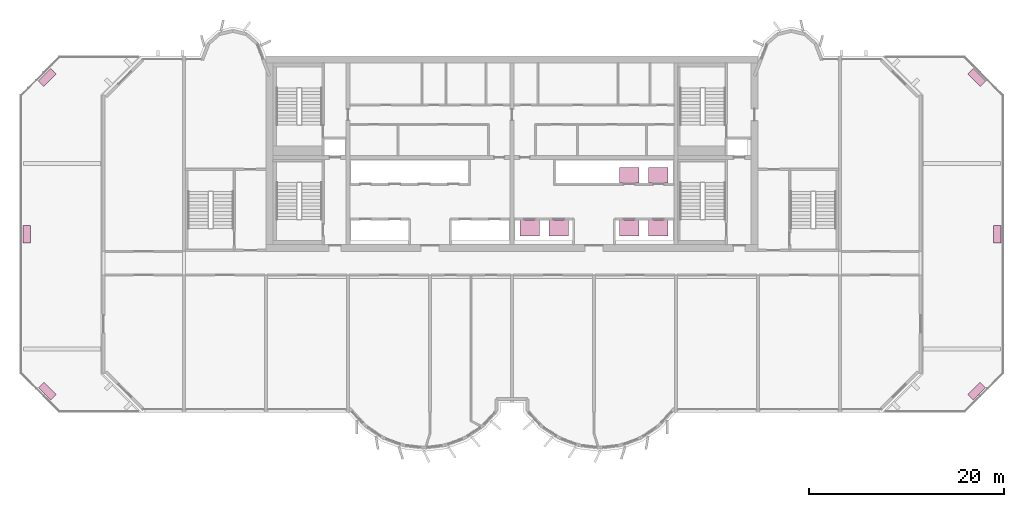
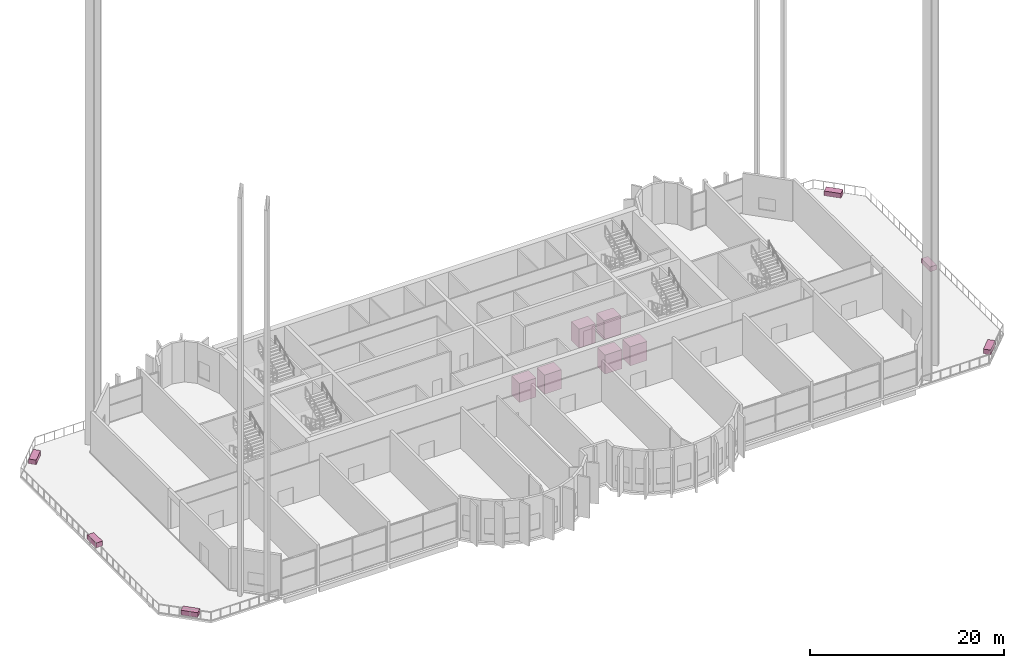
# One storey, part 19 of 19: 6 furniture elements, 6 transport elements.
"""IFC4 building model written with IfcOpenShell, lengths in metres."""

from ifc_helpers import new_model, si_unit, direction, frame, origin, origin_2d, place, context, subcontext, project, spatial, rectangle, extrude, source, transform, mapped, material, type_object, element, save


model = new_model("IFC4")

# Units and contexts
model_context = context("Model", 3, precision=1e-05, world=origin(), true_north=direction((0.0, 1.0)))
body_context = subcontext(model_context, "Body", "Model", "MODEL_VIEW")
ifc_project = project(units=[si_unit("LENGTHUNIT", "METRE"), si_unit("AREAUNIT", "SQUARE_METRE"), si_unit("VOLUMEUNIT", "CUBIC_METRE"), si_unit("PLANEANGLEUNIT", "RADIAN"), si_unit("MASSUNIT", "GRAM", prefix="KILO")], contexts=[model_context])

# Site, building, storey
site_placement = place(None, origin())
site = spatial("IfcSite", under=ifc_project, at=site_placement, CompositionType="ELEMENT")
building_placement = place(site_placement, origin())
building = spatial("IfcBuilding", under=site, at=building_placement, Name="Vanashikhar Sky Hotel", CompositionType="ELEMENT")
storey_placement = place(building_placement, frame((0.0, 0.0, 146.199951171875)))
storey = spatial("IfcBuildingStorey", under=building, at=storey_placement, Name="L35", CompositionType="ELEMENT", Elevation=146.199951171875)

# Furniture
ifc_material_1 = material(Name="Planting soil and shrubs")
furniture_type = type_object("IfcFurnitureType", Name="Planter trough", AssemblyPlace="NOTDEFINED", PredefinedType="USERDEFINED", material=ifc_material_1)
shared_shape_1 = source(origin(), body_context, "Body", "SweptSolid", [
    extrude(rectangle(XDim=1.800048828125, YDim=0.800048828125, at=origin_2d()), origin(), (0.0, 0.0, 1.0), 0.60009765625),
])
for number, where, z_axis, x_axis, name in (
    (1, (2.802734375, 7.690185546875, -0.050048828125), (0.0, 0.0, 1.0), (-0.707106781187, 0.707106781187, 0.0), "PLANTER with shrubs"),
    (2, (0.701904296875, 23.75, -0.050048828125), (0.0, 0.0, 1.0), (0.0, 1.0, 0.0), "PLANTER with shrubs"),
    (3, (2.802734375, 39.809814453125, -0.050048828125), (0.0, 0.0, 1.0), (0.707106781187, 0.707106781187, 0.0), "PLANTER with shrubs"),
    (4, (97.997314453125, 39.809814453125, -0.050048828125), (0.0, 0.0, 1.0), (0.707106781187, -0.707106781187, 0.0), "PLANTER with shrubs"),
    (5, (100.097900390625, 23.75, -0.050048828125), (0.0, 0.0, 1.0), (0.0, -1.0, 0.0), "PLANTER with shrubs"),
    (6, (97.997314453125, 7.690185546875, -0.050048828125), (0.0, 0.0, 1.0), (-0.707106781187, -0.707106781187, 0.0), "PLANTER with shrubs"),
):
    element("IfcFurniture", number, at=place(storey_placement, frame(where, z_axis=z_axis, x_axis=x_axis)), inside=storey, type_object=furniture_type, Name=name, ObjectType="PLANTER", PredefinedType="USERDEFINED", context=body_context, shape_type="MappedRepresentation", body=[
        mapped(shared_shape_1, transform((0.0, 0.0, 0.0), scale=1.0)),
    ])

# Transport elements
ifc_material_2 = material(Name="Stainless steel", Category="steel")
transport_element_type = type_object("IfcTransportElementType", Name="Passenger lift high-rise car 2000 x 1600", PredefinedType="ELEVATOR", material=ifc_material_2)
shared_shape_2 = source(origin(), body_context, "Body", "SweptSolid", [
    extrude(rectangle(XDim=2.0, YDim=1.60009765625, at=origin_2d()), origin(), (0.0, 0.0, 1.0), 2.39990234375),
])
for number, where, z_axis, x_axis, name in (
    (7, (65.39990234375, 24.39990234375, 0.0), (0.0, 0.0, 1.0), (1.0, 0.0, 0.0), "Passenger lift high-rise 1"),
    (8, (62.39990234375, 24.39990234375, 0.0), (0.0, 0.0, 1.0), (1.0, 0.0, 0.0), "Passenger lift high-rise 2"),
    (9, (55.199951171875, 24.39990234375, 0.0), (0.0, 0.0, 1.0), (1.0, 0.0, 0.0), "Passenger lift high-rise 3"),
    (10, (52.199951171875, 24.39990234375, 0.0), (0.0, 0.0, 1.0), (1.0, 0.0, 0.0), "Passenger lift high-rise 4"),
    (11, (65.39990234375, 29.800048828125, 0.0), (0.0, 0.0, 1.0), (1.0, 0.0, 0.0), "Passenger lift high-rise 5"),
    (12, (62.39990234375, 29.800048828125, 0.0), (0.0, 0.0, 1.0), (1.0, 0.0, 0.0), "Passenger lift high-rise 6"),
):
    element("IfcTransportElement", number, at=place(storey_placement, frame(where, z_axis=z_axis, x_axis=x_axis)), inside=storey, type_object=transport_element_type, Name=name, PredefinedType="ELEVATOR", context=body_context, shape_type="MappedRepresentation", body=[
        mapped(shared_shape_2, transform((0.0, 0.0, 0.0), scale=1.0)),
    ])

save(model, "model.ifc")
